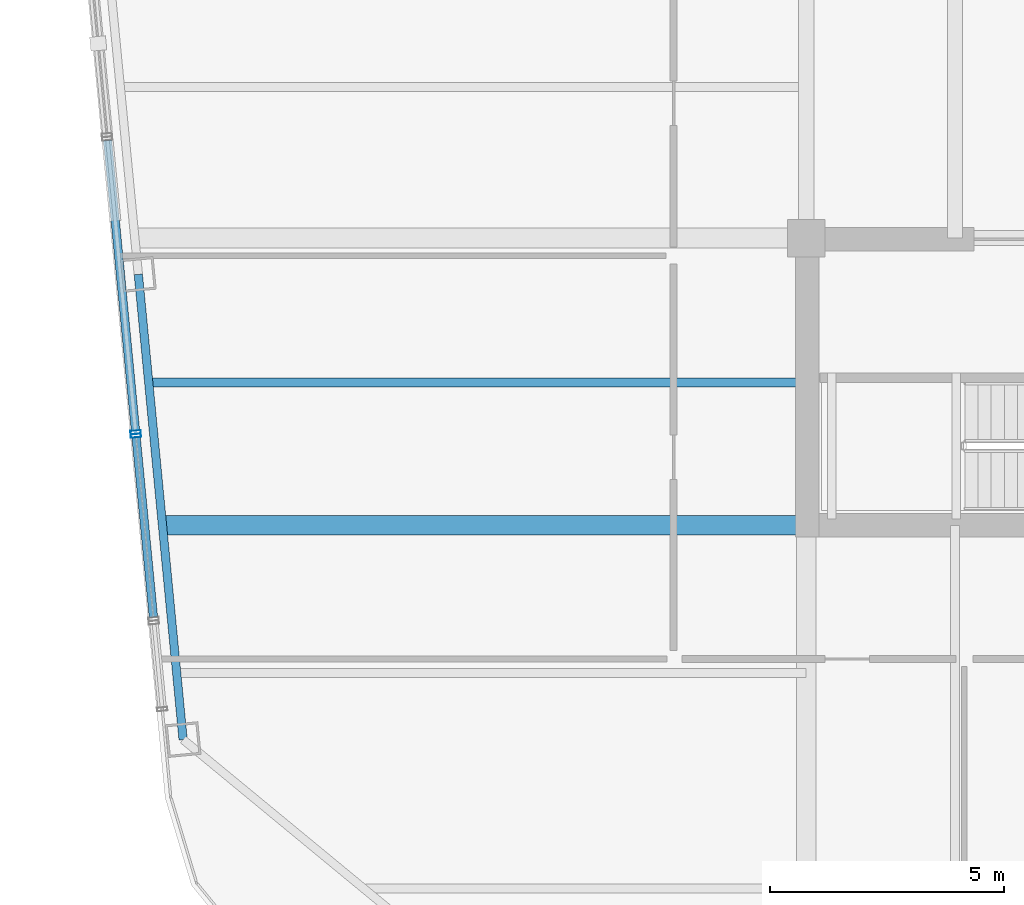
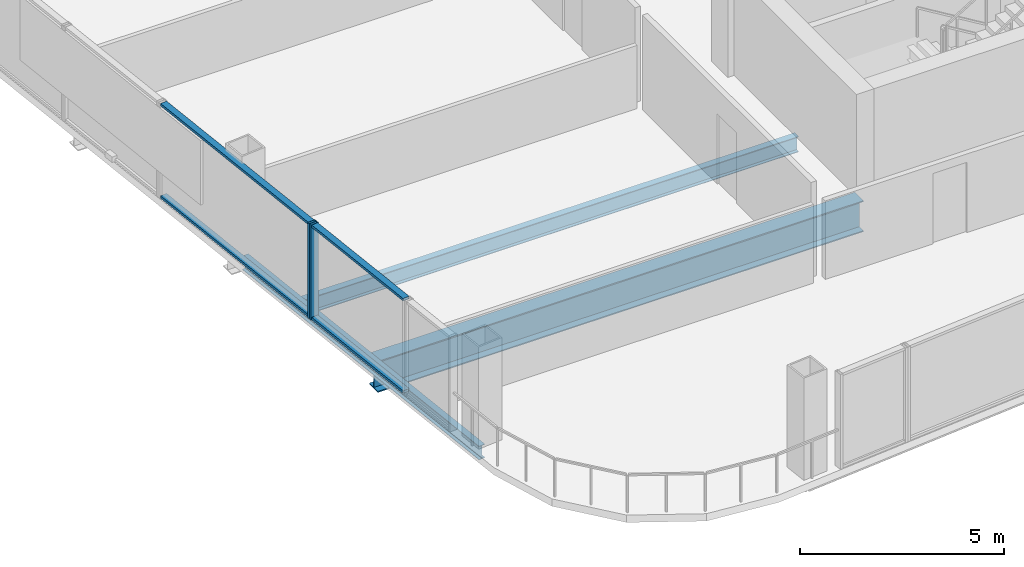
# One storey, part 3 of 22: 6 members, 3 beams, 2 elements without a shape of their own.
"""IFC4 building model written with IfcOpenShell, lengths in metres."""

from ifc_helpers import new_model, si_unit, direction, frame, origin, origin_2d, place, context, subcontext, project, spatial, hollow_rectangle, i_section, extrude, material, layer, layer_set, material_profile, profile_set, type_object, element, aggregate, save


model = new_model("IFC4")

# Units and contexts
model_context = context("Model", 3, precision=1e-05, world=origin(), true_north=direction((0.0, 1.0)))
body_context = subcontext(model_context, "Body", "Model", "MODEL_VIEW")
ifc_project = project(units=[si_unit("LENGTHUNIT", "METRE"), si_unit("AREAUNIT", "SQUARE_METRE"), si_unit("VOLUMEUNIT", "CUBIC_METRE"), si_unit("PLANEANGLEUNIT", "RADIAN"), si_unit("MASSUNIT", "GRAM", prefix="KILO")], contexts=[model_context])

# Site, building, storey
site_placement = place(None, origin())
site = spatial("IfcSite", under=ifc_project, at=site_placement, CompositionType="ELEMENT")
building_placement = place(site_placement, origin())
building = spatial("IfcBuilding", under=site, at=building_placement, Name="Qhalaya Broadcast Tower", CompositionType="ELEMENT")
storey_placement = place(building_placement, frame((0.0, 0.0, 174.449951171875)))
storey = spatial("IfcBuildingStorey", under=building, at=storey_placement, Name="L51", CompositionType="ELEMENT", Elevation=174.449951171875)

# Beams
ifc_material_1 = material(Name="Structural Steel ASTM A992 Grade 50", Category="steel")
ifc_material_profile_1 = material_profile(ifc_material_1, i_section(OverallWidth=0.19189453125, OverallDepth=0.462890625, WebThickness=0.010498046875, FlangeThickness=0.017578125, at=origin_2d()), Name="W18X60")
ifc_profile_set_1 = profile_set([ifc_material_profile_1], Name="Structural Steel ASTM A992 Grade 50")
beam_type_1 = type_object("IfcBeamType", Name="Composite Floor Joist J03", PredefinedType="JOIST", material=ifc_profile_set_1)
beam_1_placement = place(storey_placement, frame((-23.375732421875, -5.699951171875, -0.451416015625), z_axis=(1.0, 0.0, 0.0), x_axis=(0.0, 1.0, 0.0)))
element("IfcBeam", 1, at=beam_1_placement, inside=storey, type_object=beam_type_1, Name="L51 J03 L51-JWE3W-1", PredefinedType="JOIST", context=body_context, shape_type="SweptSolid", body=[
    extrude(i_section(OverallWidth=0.19189453125, OverallDepth=0.462890625, WebThickness=0.010498046875, FlangeThickness=0.017578125, at=origin_2d()), origin(), (0.0, 0.0, 1.0), 14.000732421875),
])
ifc_material_profile_2 = material_profile(ifc_material_1, i_section(OverallWidth=0.4189453125, OverallDepth=0.927001953125, WebThickness=0.019287109375, FlangeThickness=0.031982421875, at=origin_2d()), Name="W36X231")
ifc_profile_set_2 = profile_set([ifc_material_profile_2], Name="Structural Steel ASTM A992 Grade 50")
beam_type_2 = type_object("IfcBeamType", Name="Mid Block Primary Girder PG3", PredefinedType="USERDEFINED", material=ifc_profile_set_2)
beam_2_placement = place(storey_placement, frame((-23.08203125, -8.75, -0.683349609375), z_axis=(1.0, 0.0, 0.0), x_axis=(0.0, 1.0, 0.0)))
element("IfcBeam", 2, at=beam_2_placement, inside=storey, type_object=beam_type_2, Name="L51 PG3 L51-PGYW1-1", ObjectType="GIRDER", PredefinedType="USERDEFINED", context=body_context, shape_type="SweptSolid", body=[
    extrude(i_section(OverallWidth=0.4189453125, OverallDepth=0.927001953125, WebThickness=0.019287109375, FlangeThickness=0.031982421875, at=origin_2d()), origin(), (0.0, 0.0, 1.0), 13.70703125),
])

# Curtain wall, member
ifc_material_2 = material(Name="Fired Architectural Terracotta", Category="masonry")
ifc_layer_1 = layer(ifc_material_2, 0.219970703125, Name="Fired Architectural Terracotta")
ifc_layer_set_1 = layer_set([ifc_layer_1], Name="Fired Architectural Terracotta")
curtain_wall_type_1 = type_object("IfcCurtainWallType", Name="Block-Cap Unitised Terracotta Spandrel Wall CW-07", PredefinedType="NOTDEFINED", material=ifc_layer_set_1)
curtain_wall_1_placement = place(storey_placement, origin())
curtain_wall_1 = element("IfcCurtainWall", 3, at=curtain_wall_1_placement, inside=storey, type_object=curtain_wall_type_1, Name="L51 Unitised Curtain Wall L51-CW-W5", PredefinedType="NOTDEFINED")
ifc_material_3 = material(Name="Anodised Aluminium 6063-T6", Category="aluminium")
ifc_material_profile_3 = material_profile(ifc_material_3, hollow_rectangle(XDim=0.074951171875, YDim=0.219970703125, WallThickness=0.00390625, at=origin_2d()), Name="ALU-MUL 75x220x4")
ifc_profile_set_3 = profile_set([ifc_material_profile_3], Name="Anodised Aluminium 6063-T6")
member_type_1 = type_object("IfcMemberType", Name="Unitised Curtain-Wall Mullion M01", PredefinedType="MULLION", material=ifc_profile_set_3)
member_1_placement = place(storey_placement, frame((-23.6748046875, -6.765869140625, 0.0), z_axis=(0.0, 0.0, 1.0), x_axis=(0.095853708125, -0.995395432297, 0.0)))
member_1 = element("IfcMember", 4, at=member_1_placement, type_object=member_type_1, Name="CW-07 mullion 2", PredefinedType="MULLION", context=body_context, shape_type="SweptSolid", body=[
    extrude(hollow_rectangle(XDim=0.074951171875, YDim=0.219970703125, WallThickness=0.00390625, at=origin_2d()), origin(), (0.0, 0.0, 1.0), 2.830078125),
])

ifc_material_4 = material(Name="Solar-Control Low-E Triple Glazing", Category="glass")
ifc_layer_2 = layer(ifc_material_4, 0.219970703125, Name="Solar-Control Low-E Triple Glazing")
ifc_layer_set_2 = layer_set([ifc_layer_2], Name="Solar-Control Low-E Triple Glazing")
curtain_wall_type_2 = type_object("IfcCurtainWallType", Name="Even-Block 4-Storey Double-Module Curtain Wall CW-03", PredefinedType="NOTDEFINED", material=ifc_layer_set_2)
curtain_wall_2_placement = place(storey_placement, origin())
curtain_wall_2 = element("IfcCurtainWall", 5, at=curtain_wall_2_placement, inside=storey, type_object=curtain_wall_type_2, Name="L51 Unitised Curtain Wall L51-CW-W6", PredefinedType="NOTDEFINED")
member_2_placement = place(storey_placement, frame((-23.667724609375, -6.84033203125, 0.0), z_axis=(0.0, 0.0, 1.0), x_axis=(0.095825752198, -0.995398123976, 0.0)))
member_2 = element("IfcMember", 6, at=member_2_placement, type_object=member_type_1, Name="CW-03 mullion 1", PredefinedType="MULLION", context=body_context, shape_type="SweptSolid", body=[
    extrude(hollow_rectangle(XDim=0.074951171875, YDim=0.219970703125, WallThickness=0.00390625, at=origin_2d()), origin(), (0.0, 0.0, 1.0), 2.830078125),
])

# Member
ifc_material_profile_4 = material_profile(ifc_material_3, hollow_rectangle(XDim=0.074951171875, YDim=0.179931640625, WallThickness=0.00390625, at=origin_2d()), Name="ALU-TRN 75x180x4")
ifc_profile_set_4 = profile_set([ifc_material_profile_4], Name="Anodised Aluminium 6063-T6")
member_type_2 = type_object("IfcMemberType", Name="Unitised Curtain-Wall Transom T01", PredefinedType="USERDEFINED", material=ifc_profile_set_4)
member_3_placement = place(storey_placement, frame((-24.274169921875, -0.542236328125, 0.03759765625), z_axis=(0.095850882776, -0.995395704366, 0.0), x_axis=(0.0, 0.0, 1.0)))
member_3 = element("IfcMember", 7, at=member_3_placement, type_object=member_type_2, Name="CW-07 transom 1.1", ObjectType="TRANSOM", PredefinedType="USERDEFINED", context=body_context, shape_type="SweptSolid", body=[
    extrude(hollow_rectangle(XDim=0.074951171875, YDim=0.179931640625, WallThickness=0.00390625, at=origin_2d()), origin(), (0.0, 0.0, 1.0), 6.21484375),
])

member_4_placement = place(storey_placement, frame((-24.274169921875, -0.542236328125, 2.79248046875), z_axis=(0.095850882776, -0.995395704366, 0.0), x_axis=(0.0, 0.0, 1.0)))
member_4 = element("IfcMember", 8, at=member_4_placement, type_object=member_type_2, Name="CW-07 transom 1.2", ObjectType="TRANSOM", PredefinedType="USERDEFINED", context=body_context, shape_type="SweptSolid", body=[
    extrude(hollow_rectangle(XDim=0.074951171875, YDim=0.179931640625, WallThickness=0.00390625, at=origin_2d()), origin(), (0.0, 0.0, 1.0), 6.21484375),
])

aggregate(curtain_wall_1, [member_1, member_3, member_4])

member_5_placement = place(storey_placement, frame((-23.6640625, -6.877685546875, 0.03759765625), z_axis=(0.095793343025, -0.995401243435, 0.0), x_axis=(0.0, 0.0, 1.0)))
member_5 = element("IfcMember", 9, at=member_5_placement, type_object=member_type_2, Name="CW-03 transom 1.1", ObjectType="TRANSOM", PredefinedType="USERDEFINED", context=body_context, shape_type="SweptSolid", body=[
    extrude(hollow_rectangle(XDim=0.074951171875, YDim=0.179931640625, WallThickness=0.00390625, at=origin_2d()), origin(), (0.0, 0.0, 1.0), 3.85107421875),
])

member_6_placement = place(storey_placement, frame((-23.6640625, -6.877685546875, 2.79248046875), z_axis=(0.095793343025, -0.995401243435, 0.0), x_axis=(0.0, 0.0, 1.0)))
member_6 = element("IfcMember", 10, at=member_6_placement, type_object=member_type_2, Name="CW-03 transom 1.2", ObjectType="TRANSOM", PredefinedType="USERDEFINED", context=body_context, shape_type="SweptSolid", body=[
    extrude(hollow_rectangle(XDim=0.074951171875, YDim=0.179931640625, WallThickness=0.00390625, at=origin_2d()), origin(), (0.0, 0.0, 1.0), 3.85107421875),
])

aggregate(curtain_wall_2, [member_2, member_5, member_6])

# Beam
ifc_material_profile_5 = material_profile(ifc_material_1, i_section(OverallWidth=0.177978515625, OverallDepth=0.406005859375, WebThickness=0.0078125, FlangeThickness=0.0126953125, at=origin_2d()), Name="W16X40")
ifc_profile_set_5 = profile_set([ifc_material_profile_5], Name="Structural Steel ASTM A992 Grade 50")
beam_type_3 = type_object("IfcBeamType", Name="Upper Perimeter Spandrel Beam SP2", PredefinedType="SPANDREL", material=ifc_profile_set_5)
beam_3_placement = place(storey_placement, frame((-23.6171875, -3.399658203125, -0.4228515625), z_axis=(0.09582862993, -0.995397846936, 0.0), x_axis=(0.995397846936, 0.09582862993, 0.0)))
element("IfcBeam", 11, at=beam_3_placement, inside=storey, type_object=beam_type_3, Name="L51 SP2 L51-SPR-15", PredefinedType="SPANDREL", context=body_context, shape_type="SweptSolid", body=[
    extrude(i_section(OverallWidth=0.177978515625, OverallDepth=0.406005859375, WebThickness=0.0078125, FlangeThickness=0.0126953125, at=origin_2d()), origin(), (0.0, 0.0, 1.0), 9.966552734375),
])

save(model, "model.ifc")
